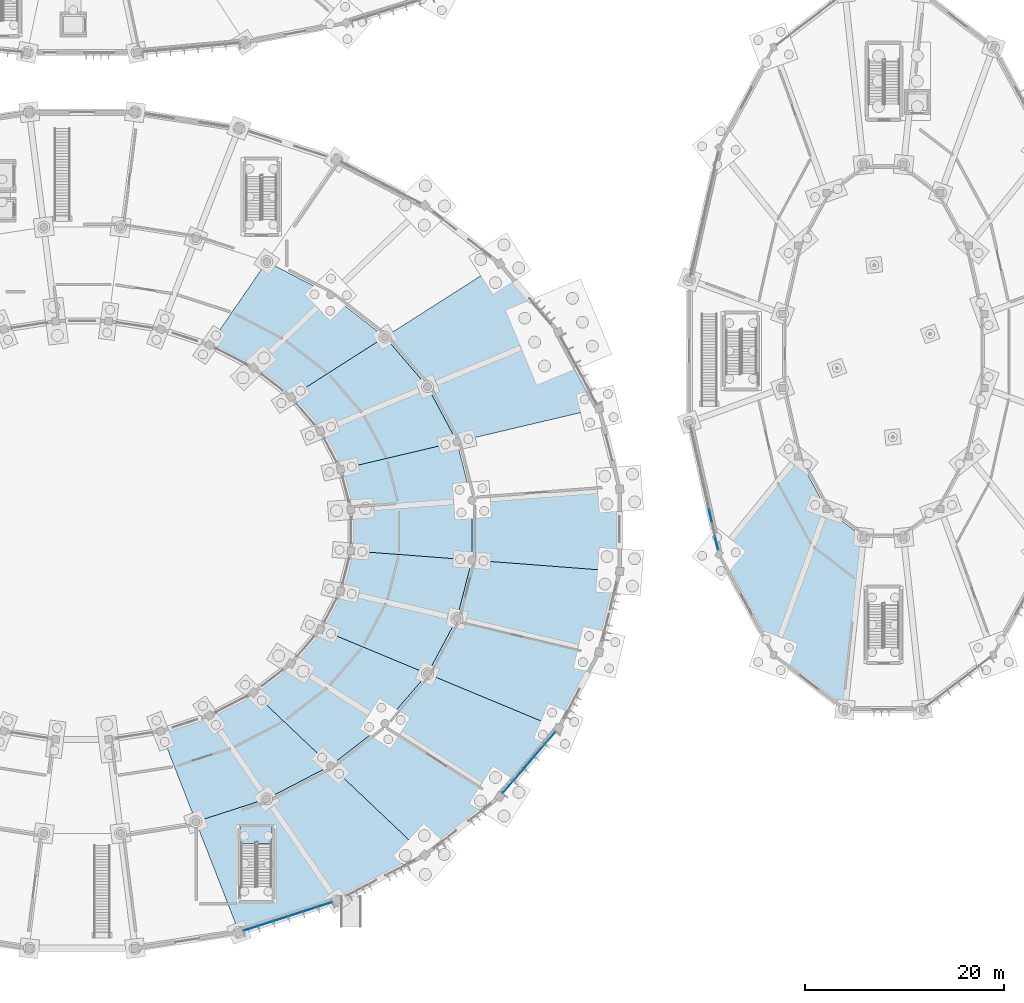
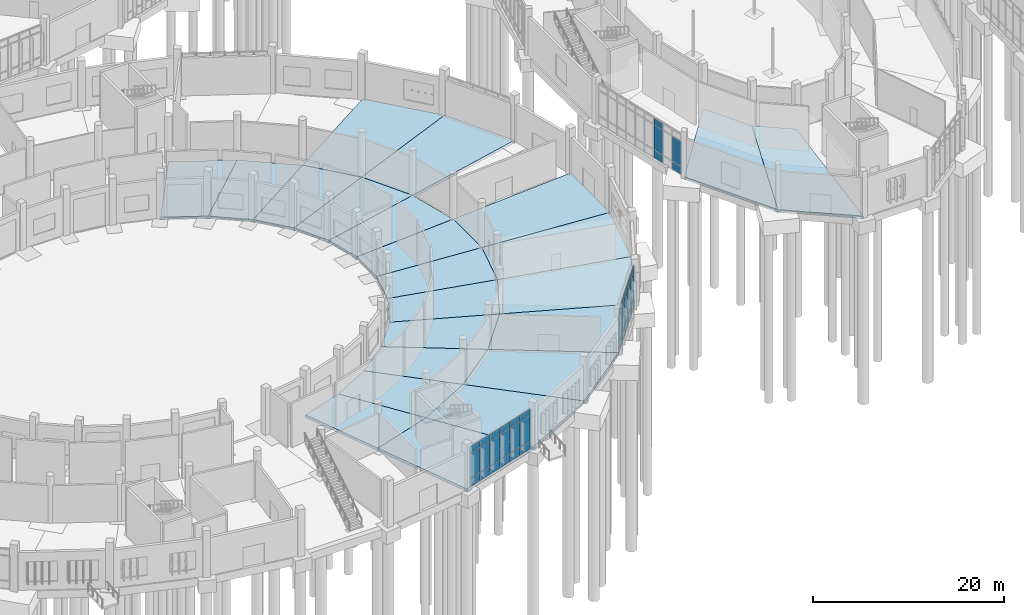
# One storey, part 63 of 140: 38 plates, 24 slabs, 4 elements without a shape of their own.
"""IFC4 building model written with IfcOpenShell, lengths in metres."""

from ifc_helpers import new_model, si_unit, direction, frame, origin, origin_2d, place, context, subcontext, project, spatial, polyline, rectangle, outline, extrude, material, layer, layer_set, type_object, element, aggregate, save


model = new_model("IFC4")

# Units and contexts
model_context = context("Model", 3, precision=1e-05, world=origin(), true_north=direction((0.0, 1.0)))
body_context = subcontext(model_context, "Body", "Model", "MODEL_VIEW")
ifc_project = project(units=[si_unit("LENGTHUNIT", "METRE"), si_unit("AREAUNIT", "SQUARE_METRE"), si_unit("VOLUMEUNIT", "CUBIC_METRE"), si_unit("PLANEANGLEUNIT", "RADIAN"), si_unit("MASSUNIT", "GRAM", prefix="KILO")], contexts=[model_context])

# Site, building, storey
site_placement = place(None, origin())
site = spatial("IfcSite", under=ifc_project, at=site_placement, CompositionType="ELEMENT")
building_placement = place(site_placement, origin())
building = spatial("IfcBuilding", under=site, at=building_placement, Name="Corvandel Quay Wholesale Market", CompositionType="ELEMENT")
storey_placement = place(building_placement, origin())
storey = spatial("IfcBuildingStorey", under=building, at=storey_placement, Name="L00", CompositionType="ELEMENT", Elevation=0.0)

# Curtain wall, plates
ifc_material_1 = material(Name="Bronze anodised aluminium and low-E insulated glazing", Category="aluminium")
ifc_layer_1 = layer(ifc_material_1, 0.162109375)
ifc_layer_set_1 = layer_set([ifc_layer_1], Name="Bronze anodised aluminium and low-E insulated glazing")
curtain_wall_type_1 = type_object("IfcCurtainWallType", Name="Stick Curtain Wall System CW26 H5340", PredefinedType="NOTDEFINED", material=ifc_layer_set_1)
curtain_wall_1_placement = place(storey_placement, origin())
curtain_wall_1 = element("IfcCurtainWall", 1, at=curtain_wall_1_placement, inside=storey, type_object=curtain_wall_type_1, Name="Curtain Wall CW-0075", PredefinedType="NOTDEFINED")
ifc_material_2 = material(Name="Solar-control low-E insulated glazing", Category="glass")
ifc_layer_2 = layer(ifc_material_2, 0.0400390625)
ifc_layer_set_2 = layer_set([ifc_layer_2], Name="Solar-control low-E insulated glazing")
plate_type_1 = type_object("IfcPlateType", Name="Ceramic Fritted Spandrel Panel PN03 40mm", PredefinedType="CURTAIN_PANEL", material=ifc_layer_set_2)
plate_1_placement = place(storey_placement, frame((130.927001953125, 1.992919921875, 4.33251953125), z_axis=(0.0, 0.0, 1.0), x_axis=(0.951808747363, 0.306692204733, 0.0)))
plate_1 = element("IfcPlate", 2, at=plate_1_placement, type_object=plate_type_1, Name="Glazing Panel CW-0075-P00-2", PredefinedType="CURTAIN_PANEL", context=body_context, shape_type="SweptSolid", body=[
    extrude(rectangle(XDim=1.505859375, YDim=0.0400390625, at=origin_2d()), origin(), (0.0, 0.0, 1.0), 0.784912109375),
])
plate_2_placement = place(storey_placement, frame((132.422119140625, 2.474609375, 4.33251953125), z_axis=(0.0, 0.0, 1.0), x_axis=(0.951808747363, 0.306692204733, 0.0)))
plate_2 = element("IfcPlate", 3, at=plate_2_placement, type_object=plate_type_1, Name="Glazing Panel CW-0075-P01-2", PredefinedType="CURTAIN_PANEL", context=body_context, shape_type="SweptSolid", body=[
    extrude(rectangle(XDim=1.505859375, YDim=0.0400390625, at=origin_2d()), origin(), (0.0, 0.0, 1.0), 0.784912109375),
])
plate_3_placement = place(storey_placement, frame((133.91748046875, 2.956298828125, 4.33251953125), z_axis=(0.0, 0.0, 1.0), x_axis=(0.951808747363, 0.306692204733, 0.0)))
plate_3 = element("IfcPlate", 4, at=plate_3_placement, type_object=plate_type_1, Name="Glazing Panel CW-0075-P02-2", PredefinedType="CURTAIN_PANEL", context=body_context, shape_type="SweptSolid", body=[
    extrude(rectangle(XDim=1.505859375, YDim=0.0400390625, at=origin_2d()), origin(), (0.0, 0.0, 1.0), 0.784912109375),
])
plate_4_placement = place(storey_placement, frame((135.41259765625, 3.437744140625, 4.33251953125), z_axis=(0.0, 0.0, 1.0), x_axis=(0.951808747363, 0.306692204733, 0.0)))
plate_4 = element("IfcPlate", 5, at=plate_4_placement, type_object=plate_type_1, Name="Glazing Panel CW-0075-P03-2", PredefinedType="CURTAIN_PANEL", context=body_context, shape_type="SweptSolid", body=[
    extrude(rectangle(XDim=1.505859375, YDim=0.0400390625, at=origin_2d()), origin(), (0.0, 0.0, 1.0), 0.784912109375),
])
plate_5_placement = place(storey_placement, frame((136.90771484375, 3.91943359375, 4.33251953125), z_axis=(0.0, 0.0, 1.0), x_axis=(0.951808747363, 0.306692204733, 0.0)))
plate_5 = element("IfcPlate", 6, at=plate_5_placement, type_object=plate_type_1, Name="Glazing Panel CW-0075-P04-2", PredefinedType="CURTAIN_PANEL", context=body_context, shape_type="SweptSolid", body=[
    extrude(rectangle(XDim=1.505859375, YDim=0.0400390625, at=origin_2d()), origin(), (0.0, 0.0, 1.0), 0.784912109375),
])
plate_6_placement = place(storey_placement, frame((138.403076171875, 4.401123046875, 4.33251953125), z_axis=(0.0, 0.0, 1.0), x_axis=(0.951808747363, 0.306692204733, 0.0)))
plate_6 = element("IfcPlate", 7, at=plate_6_placement, type_object=plate_type_1, Name="Glazing Panel CW-0075-P05-2", PredefinedType="CURTAIN_PANEL", context=body_context, shape_type="SweptSolid", body=[
    extrude(rectangle(XDim=1.505859375, YDim=0.0400390625, at=origin_2d()), origin(), (0.0, 0.0, 1.0), 0.784912109375),
])

ifc_layer_3 = layer(ifc_material_1, 0.162109375)
ifc_layer_set_3 = layer_set([ifc_layer_3], Name="Bronze anodised aluminium and low-E insulated glazing")
curtain_wall_type_2 = type_object("IfcCurtainWallType", Name="Stick Curtain Wall System CW01 H3090", PredefinedType="NOTDEFINED", material=ifc_layer_set_3)
curtain_wall_2_placement = place(storey_placement, origin())
curtain_wall_2 = element("IfcCurtainWall", 8, at=curtain_wall_2_placement, inside=storey, type_object=curtain_wall_type_2, Name="Curtain Wall CW-0084", PredefinedType="NOTDEFINED")
plate_7_placement = place(storey_placement, frame((156.7705078125, 16.18798828125, 4.33251953125), z_axis=(0.0, 0.0, 1.0), x_axis=(0.651568967347, 0.758589401976, 0.0)))
plate_7 = element("IfcPlate", 9, at=plate_7_placement, type_object=plate_type_1, Name="Glazing Panel CW-0084-P00-2", PredefinedType="CURTAIN_PANEL", context=body_context, shape_type="SweptSolid", body=[
    extrude(rectangle(XDim=1.568603515625, YDim=0.0400390625, at=origin_2d()), origin(), (0.0, 0.0, 1.0), 0.784912109375),
])
plate_8_placement = place(storey_placement, frame((157.8349609375, 17.42724609375, 4.33251953125), z_axis=(0.0, 0.0, 1.0), x_axis=(0.651568967347, 0.758589401976, 0.0)))
plate_8 = element("IfcPlate", 10, at=plate_8_placement, type_object=plate_type_1, Name="Glazing Panel CW-0084-P01-2", PredefinedType="CURTAIN_PANEL", context=body_context, shape_type="SweptSolid", body=[
    extrude(rectangle(XDim=1.568603515625, YDim=0.0400390625, at=origin_2d()), origin(), (0.0, 0.0, 1.0), 0.784912109375),
])
plate_9_placement = place(storey_placement, frame((158.8994140625, 18.66650390625, 4.33251953125), z_axis=(0.0, 0.0, 1.0), x_axis=(0.651568967347, 0.758589401976, 0.0)))
plate_9 = element("IfcPlate", 11, at=plate_9_placement, type_object=plate_type_1, Name="Glazing Panel CW-0084-P02-2", PredefinedType="CURTAIN_PANEL", context=body_context, shape_type="SweptSolid", body=[
    extrude(rectangle(XDim=1.568603515625, YDim=0.0400390625, at=origin_2d()), origin(), (0.0, 0.0, 1.0), 0.784912109375),
])
plate_10_placement = place(storey_placement, frame((159.964111328125, 19.90576171875, 4.33251953125), z_axis=(0.0, 0.0, 1.0), x_axis=(0.651568967347, 0.758589401976, 0.0)))
plate_10 = element("IfcPlate", 12, at=plate_10_placement, type_object=plate_type_1, Name="Glazing Panel CW-0084-P03-2", PredefinedType="CURTAIN_PANEL", context=body_context, shape_type="SweptSolid", body=[
    extrude(rectangle(XDim=1.568603515625, YDim=0.0400390625, at=origin_2d()), origin(), (0.0, 0.0, 1.0), 0.784912109375),
])
plate_11_placement = place(storey_placement, frame((161.028564453125, 21.14501953125, 4.33251953125), z_axis=(0.0, 0.0, 1.0), x_axis=(0.651568967347, 0.758589401976, 0.0)))
plate_11 = element("IfcPlate", 13, at=plate_11_placement, type_object=plate_type_1, Name="Glazing Panel CW-0084-P04-2", PredefinedType="CURTAIN_PANEL", context=body_context, shape_type="SweptSolid", body=[
    extrude(rectangle(XDim=1.568603515625, YDim=0.0400390625, at=origin_2d()), origin(), (0.0, 0.0, 1.0), 0.784912109375),
])

# Curtain wall, plate
ifc_layer_4 = layer(ifc_material_1, 0.14990234375)
ifc_layer_set_4 = layer_set([ifc_layer_4], Name="Bronze anodised aluminium and low-E insulated glazing")
curtain_wall_type_3 = type_object("IfcCurtainWallType", Name="Stick Curtain Wall System CW10 H3900", PredefinedType="NOTDEFINED", material=ifc_layer_set_4)
curtain_wall_3_placement = place(storey_placement, origin())
curtain_wall_3 = element("IfcCurtainWall", 14, at=curtain_wall_3_placement, inside=storey, type_object=curtain_wall_type_3, Name="Curtain Wall CW-0136", PredefinedType="NOTDEFINED")
plate_12_placement = place(storey_placement, frame((177.105224609375, 43.456787109375, 4.33251953125), z_axis=(0.0, 0.0, 1.0), x_axis=(-0.218994806262, 0.975726024471, 0.0)))
plate_12 = element("IfcPlate", 15, at=plate_12_placement, type_object=plate_type_1, Name="Glazing Panel CW-0136-P06-2", PredefinedType="CURTAIN_PANEL", context=body_context, shape_type="SweptSolid", body=[
    extrude(rectangle(XDim=1.352783203125, YDim=0.0400390625, at=origin_2d()), origin(), (0.0, 0.0, 1.0), 0.784912109375),
])

# Plate
ifc_layer_5 = layer(ifc_material_2, 0.028076171875)
ifc_layer_set_5 = layer_set([ifc_layer_5], Name="Solar-control low-E insulated glazing")
plate_type_2 = type_object("IfcPlateType", Name="Double Low-E Vision Panel PN01 28mm", PredefinedType="CURTAIN_PANEL", material=ifc_layer_set_5)
plate_13_placement = place(storey_placement, frame((130.927001953125, 1.992919921875, 0.0322265625), z_axis=(0.0, 0.0, 1.0), x_axis=(0.951808747363, 0.306692204733, 0.0)))
plate_13 = element("IfcPlate", 16, at=plate_13_placement, type_object=plate_type_2, Name="Glazing Panel CW-0075-P00-0", PredefinedType="CURTAIN_PANEL", context=body_context, shape_type="SweptSolid", body=[
    extrude(rectangle(XDim=1.505859375, YDim=0.028076171875, at=origin_2d()), origin(), (0.0, 0.0, 1.0), 0.985107421875),
])

plate_14_placement = place(storey_placement, frame((130.927001953125, 1.992919921875, 1.08251953125), z_axis=(0.0, 0.0, 1.0), x_axis=(0.951808747363, 0.306692204733, 0.0)))
plate_14 = element("IfcPlate", 17, at=plate_14_placement, type_object=plate_type_2, Name="Glazing Panel CW-0075-P00-1", PredefinedType="CURTAIN_PANEL", context=body_context, shape_type="SweptSolid", body=[
    extrude(rectangle(XDim=1.505859375, YDim=0.028076171875, at=origin_2d()), origin(), (0.0, 0.0, 1.0), 3.18505859375),
])

plate_15_placement = place(storey_placement, frame((132.422119140625, 2.474609375, 0.0322265625), z_axis=(0.0, 0.0, 1.0), x_axis=(0.951808747363, 0.306692204733, 0.0)))
plate_15 = element("IfcPlate", 18, at=plate_15_placement, type_object=plate_type_2, Name="Glazing Panel CW-0075-P01-0", PredefinedType="CURTAIN_PANEL", context=body_context, shape_type="SweptSolid", body=[
    extrude(rectangle(XDim=1.505859375, YDim=0.028076171875, at=origin_2d()), origin(), (0.0, 0.0, 1.0), 0.985107421875),
])

plate_16_placement = place(storey_placement, frame((132.422119140625, 2.474609375, 1.08251953125), z_axis=(0.0, 0.0, 1.0), x_axis=(0.951808747363, 0.306692204733, 0.0)))
plate_16 = element("IfcPlate", 19, at=plate_16_placement, type_object=plate_type_2, Name="Glazing Panel CW-0075-P01-1", PredefinedType="CURTAIN_PANEL", context=body_context, shape_type="SweptSolid", body=[
    extrude(rectangle(XDim=1.505859375, YDim=0.028076171875, at=origin_2d()), origin(), (0.0, 0.0, 1.0), 3.18505859375),
])

plate_17_placement = place(storey_placement, frame((133.91748046875, 2.956298828125, 0.0322265625), z_axis=(0.0, 0.0, 1.0), x_axis=(0.951808747363, 0.306692204733, 0.0)))
plate_17 = element("IfcPlate", 20, at=plate_17_placement, type_object=plate_type_2, Name="Glazing Panel CW-0075-P02-0", PredefinedType="CURTAIN_PANEL", context=body_context, shape_type="SweptSolid", body=[
    extrude(rectangle(XDim=1.505859375, YDim=0.028076171875, at=origin_2d()), origin(), (0.0, 0.0, 1.0), 0.985107421875),
])

plate_18_placement = place(storey_placement, frame((133.91748046875, 2.956298828125, 1.08251953125), z_axis=(0.0, 0.0, 1.0), x_axis=(0.951808747363, 0.306692204733, 0.0)))
plate_18 = element("IfcPlate", 21, at=plate_18_placement, type_object=plate_type_2, Name="Glazing Panel CW-0075-P02-1", PredefinedType="CURTAIN_PANEL", context=body_context, shape_type="SweptSolid", body=[
    extrude(rectangle(XDim=1.505859375, YDim=0.028076171875, at=origin_2d()), origin(), (0.0, 0.0, 1.0), 3.18505859375),
])

plate_19_placement = place(storey_placement, frame((135.41259765625, 3.437744140625, 0.0322265625), z_axis=(0.0, 0.0, 1.0), x_axis=(0.951808747363, 0.306692204733, 0.0)))
plate_19 = element("IfcPlate", 22, at=plate_19_placement, type_object=plate_type_2, Name="Glazing Panel CW-0075-P03-0", PredefinedType="CURTAIN_PANEL", context=body_context, shape_type="SweptSolid", body=[
    extrude(rectangle(XDim=1.505859375, YDim=0.028076171875, at=origin_2d()), origin(), (0.0, 0.0, 1.0), 0.985107421875),
])

plate_20_placement = place(storey_placement, frame((135.41259765625, 3.437744140625, 1.08251953125), z_axis=(0.0, 0.0, 1.0), x_axis=(0.951808747363, 0.306692204733, 0.0)))
plate_20 = element("IfcPlate", 23, at=plate_20_placement, type_object=plate_type_2, Name="Glazing Panel CW-0075-P03-1", PredefinedType="CURTAIN_PANEL", context=body_context, shape_type="SweptSolid", body=[
    extrude(rectangle(XDim=1.505859375, YDim=0.028076171875, at=origin_2d()), origin(), (0.0, 0.0, 1.0), 3.18505859375),
])

plate_21_placement = place(storey_placement, frame((136.90771484375, 3.91943359375, 0.0322265625), z_axis=(0.0, 0.0, 1.0), x_axis=(0.951808747363, 0.306692204733, 0.0)))
plate_21 = element("IfcPlate", 24, at=plate_21_placement, type_object=plate_type_2, Name="Glazing Panel CW-0075-P04-0", PredefinedType="CURTAIN_PANEL", context=body_context, shape_type="SweptSolid", body=[
    extrude(rectangle(XDim=1.505859375, YDim=0.028076171875, at=origin_2d()), origin(), (0.0, 0.0, 1.0), 0.985107421875),
])

plate_22_placement = place(storey_placement, frame((136.90771484375, 3.91943359375, 1.08251953125), z_axis=(0.0, 0.0, 1.0), x_axis=(0.951808747363, 0.306692204733, 0.0)))
plate_22 = element("IfcPlate", 25, at=plate_22_placement, type_object=plate_type_2, Name="Glazing Panel CW-0075-P04-1", PredefinedType="CURTAIN_PANEL", context=body_context, shape_type="SweptSolid", body=[
    extrude(rectangle(XDim=1.505859375, YDim=0.028076171875, at=origin_2d()), origin(), (0.0, 0.0, 1.0), 3.18505859375),
])

plate_23_placement = place(storey_placement, frame((138.403076171875, 4.401123046875, 0.0322265625), z_axis=(0.0, 0.0, 1.0), x_axis=(0.951808747363, 0.306692204733, 0.0)))
plate_23 = element("IfcPlate", 26, at=plate_23_placement, type_object=plate_type_2, Name="Glazing Panel CW-0075-P05-0", PredefinedType="CURTAIN_PANEL", context=body_context, shape_type="SweptSolid", body=[
    extrude(rectangle(XDim=1.505859375, YDim=0.028076171875, at=origin_2d()), origin(), (0.0, 0.0, 1.0), 0.985107421875),
])

plate_24_placement = place(storey_placement, frame((138.403076171875, 4.401123046875, 1.08251953125), z_axis=(0.0, 0.0, 1.0), x_axis=(0.951808747363, 0.306692204733, 0.0)))
plate_24 = element("IfcPlate", 27, at=plate_24_placement, type_object=plate_type_2, Name="Glazing Panel CW-0075-P05-1", PredefinedType="CURTAIN_PANEL", context=body_context, shape_type="SweptSolid", body=[
    extrude(rectangle(XDim=1.505859375, YDim=0.028076171875, at=origin_2d()), origin(), (0.0, 0.0, 1.0), 3.18505859375),
])

aggregate(curtain_wall_1, [plate_13, plate_14, plate_1, plate_15, plate_16, plate_2, plate_17, plate_18, plate_3, plate_19, plate_20, plate_4, plate_21, plate_22, plate_5, plate_23, plate_24, plate_6])

plate_25_placement = place(storey_placement, frame((156.7705078125, 16.18798828125, 0.0322265625), z_axis=(0.0, 0.0, 1.0), x_axis=(0.651568967347, 0.758589401976, 0.0)))
plate_25 = element("IfcPlate", 28, at=plate_25_placement, type_object=plate_type_2, Name="Glazing Panel CW-0084-P00-0", PredefinedType="CURTAIN_PANEL", context=body_context, shape_type="SweptSolid", body=[
    extrude(rectangle(XDim=1.568603515625, YDim=0.028076171875, at=origin_2d()), origin(), (0.0, 0.0, 1.0), 0.985107421875),
])

plate_26_placement = place(storey_placement, frame((156.7705078125, 16.18798828125, 1.08251953125), z_axis=(0.0, 0.0, 1.0), x_axis=(0.651568967347, 0.758589401976, 0.0)))
plate_26 = element("IfcPlate", 29, at=plate_26_placement, type_object=plate_type_2, Name="Glazing Panel CW-0084-P00-1", PredefinedType="CURTAIN_PANEL", context=body_context, shape_type="SweptSolid", body=[
    extrude(rectangle(XDim=1.568603515625, YDim=0.028076171875, at=origin_2d()), origin(), (0.0, 0.0, 1.0), 3.18505859375),
])

plate_27_placement = place(storey_placement, frame((157.8349609375, 17.42724609375, 0.0322265625), z_axis=(0.0, 0.0, 1.0), x_axis=(0.651568967347, 0.758589401976, 0.0)))
plate_27 = element("IfcPlate", 30, at=plate_27_placement, type_object=plate_type_2, Name="Glazing Panel CW-0084-P01-0", PredefinedType="CURTAIN_PANEL", context=body_context, shape_type="SweptSolid", body=[
    extrude(rectangle(XDim=1.568603515625, YDim=0.028076171875, at=origin_2d()), origin(), (0.0, 0.0, 1.0), 0.985107421875),
])

plate_28_placement = place(storey_placement, frame((157.8349609375, 17.42724609375, 1.08251953125), z_axis=(0.0, 0.0, 1.0), x_axis=(0.651568967347, 0.758589401976, 0.0)))
plate_28 = element("IfcPlate", 31, at=plate_28_placement, type_object=plate_type_2, Name="Glazing Panel CW-0084-P01-1", PredefinedType="CURTAIN_PANEL", context=body_context, shape_type="SweptSolid", body=[
    extrude(rectangle(XDim=1.568603515625, YDim=0.028076171875, at=origin_2d()), origin(), (0.0, 0.0, 1.0), 3.18505859375),
])

plate_29_placement = place(storey_placement, frame((158.8994140625, 18.66650390625, 0.0322265625), z_axis=(0.0, 0.0, 1.0), x_axis=(0.651568967347, 0.758589401976, 0.0)))
plate_29 = element("IfcPlate", 32, at=plate_29_placement, type_object=plate_type_2, Name="Glazing Panel CW-0084-P02-0", PredefinedType="CURTAIN_PANEL", context=body_context, shape_type="SweptSolid", body=[
    extrude(rectangle(XDim=1.568603515625, YDim=0.028076171875, at=origin_2d()), origin(), (0.0, 0.0, 1.0), 0.985107421875),
])

plate_30_placement = place(storey_placement, frame((158.8994140625, 18.66650390625, 1.08251953125), z_axis=(0.0, 0.0, 1.0), x_axis=(0.651568967347, 0.758589401976, 0.0)))
plate_30 = element("IfcPlate", 33, at=plate_30_placement, type_object=plate_type_2, Name="Glazing Panel CW-0084-P02-1", PredefinedType="CURTAIN_PANEL", context=body_context, shape_type="SweptSolid", body=[
    extrude(rectangle(XDim=1.568603515625, YDim=0.028076171875, at=origin_2d()), origin(), (0.0, 0.0, 1.0), 3.18505859375),
])

plate_31_placement = place(storey_placement, frame((159.964111328125, 19.90576171875, 0.0322265625), z_axis=(0.0, 0.0, 1.0), x_axis=(0.651568967347, 0.758589401976, 0.0)))
plate_31 = element("IfcPlate", 34, at=plate_31_placement, type_object=plate_type_2, Name="Glazing Panel CW-0084-P03-0", PredefinedType="CURTAIN_PANEL", context=body_context, shape_type="SweptSolid", body=[
    extrude(rectangle(XDim=1.568603515625, YDim=0.028076171875, at=origin_2d()), origin(), (0.0, 0.0, 1.0), 0.985107421875),
])

plate_32_placement = place(storey_placement, frame((159.964111328125, 19.90576171875, 1.08251953125), z_axis=(0.0, 0.0, 1.0), x_axis=(0.651568967347, 0.758589401976, 0.0)))
plate_32 = element("IfcPlate", 35, at=plate_32_placement, type_object=plate_type_2, Name="Glazing Panel CW-0084-P03-1", PredefinedType="CURTAIN_PANEL", context=body_context, shape_type="SweptSolid", body=[
    extrude(rectangle(XDim=1.568603515625, YDim=0.028076171875, at=origin_2d()), origin(), (0.0, 0.0, 1.0), 3.18505859375),
])

plate_33_placement = place(storey_placement, frame((161.028564453125, 21.14501953125, 0.0322265625), z_axis=(0.0, 0.0, 1.0), x_axis=(0.651568967347, 0.758589401976, 0.0)))
plate_33 = element("IfcPlate", 36, at=plate_33_placement, type_object=plate_type_2, Name="Glazing Panel CW-0084-P04-0", PredefinedType="CURTAIN_PANEL", context=body_context, shape_type="SweptSolid", body=[
    extrude(rectangle(XDim=1.568603515625, YDim=0.028076171875, at=origin_2d()), origin(), (0.0, 0.0, 1.0), 0.985107421875),
])

plate_34_placement = place(storey_placement, frame((161.028564453125, 21.14501953125, 1.08251953125), z_axis=(0.0, 0.0, 1.0), x_axis=(0.651568967347, 0.758589401976, 0.0)))
plate_34 = element("IfcPlate", 37, at=plate_34_placement, type_object=plate_type_2, Name="Glazing Panel CW-0084-P04-1", PredefinedType="CURTAIN_PANEL", context=body_context, shape_type="SweptSolid", body=[
    extrude(rectangle(XDim=1.568603515625, YDim=0.028076171875, at=origin_2d()), origin(), (0.0, 0.0, 1.0), 3.18505859375),
])

aggregate(curtain_wall_2, [plate_25, plate_26, plate_7, plate_27, plate_28, plate_8, plate_29, plate_30, plate_9, plate_31, plate_32, plate_10, plate_33, plate_34, plate_11])

plate_35_placement = place(storey_placement, frame((177.105224609375, 43.456787109375, 0.0322265625), z_axis=(0.0, 0.0, 1.0), x_axis=(-0.218994806262, 0.975726024471, 0.0)))
plate_35 = element("IfcPlate", 38, at=plate_35_placement, type_object=plate_type_2, Name="Glazing Panel CW-0136-P06-0", PredefinedType="CURTAIN_PANEL", context=body_context, shape_type="SweptSolid", body=[
    extrude(rectangle(XDim=1.352783203125, YDim=0.028076171875, at=origin_2d()), origin(), (0.0, 0.0, 1.0), 0.985107421875),
])

plate_36_placement = place(storey_placement, frame((177.105224609375, 43.456787109375, 1.08251953125), z_axis=(0.0, 0.0, 1.0), x_axis=(-0.218994806262, 0.975726024471, 0.0)))
plate_36 = element("IfcPlate", 39, at=plate_36_placement, type_object=plate_type_2, Name="Glazing Panel CW-0136-P06-1", PredefinedType="CURTAIN_PANEL", context=body_context, shape_type="SweptSolid", body=[
    extrude(rectangle(XDim=1.352783203125, YDim=0.028076171875, at=origin_2d()), origin(), (0.0, 0.0, 1.0), 3.18505859375),
])

plate_37_placement = place(storey_placement, frame((177.726318359375, 40.68994140625, 0.0322265625), z_axis=(0.0, 0.0, 1.0), x_axis=(-0.218994806262, 0.975726024471, 0.0)))
plate_37 = element("IfcPlate", 40, at=plate_37_placement, type_object=plate_type_2, Name="Glazing Panel CW-0136-P08-0", PredefinedType="CURTAIN_PANEL", context=body_context, shape_type="SweptSolid", body=[
    extrude(rectangle(XDim=1.352783203125, YDim=0.028076171875, at=origin_2d()), origin(), (0.0, 0.0, 1.0), 0.985107421875),
])

plate_38_placement = place(storey_placement, frame((177.726318359375, 40.68994140625, 1.08251953125), z_axis=(0.0, 0.0, 1.0), x_axis=(-0.218994806262, 0.975726024471, 0.0)))
plate_38 = element("IfcPlate", 41, at=plate_38_placement, type_object=plate_type_2, Name="Glazing Panel CW-0136-P08-1", PredefinedType="CURTAIN_PANEL", context=body_context, shape_type="SweptSolid", body=[
    extrude(rectangle(XDim=1.352783203125, YDim=0.028076171875, at=origin_2d()), origin(), (0.0, 0.0, 1.0), 3.18505859375),
])

aggregate(curtain_wall_3, [plate_35, plate_36, plate_12, plate_37, plate_38])

# Slabs
ifc_material_3 = material(Name="Concrete C40/50", Category="concrete")
ifc_layer_6 = layer(ifc_material_3, 0.35009765625)
ifc_layer_set_6 = layer_set([ifc_layer_6], Name="Concrete C40/50")
slab_type_1 = type_object("IfcSlabType", Name="Ground Bearing Base Slab 350", PredefinedType="BASESLAB", material=ifc_layer_set_6)
slab_1_placement = place(storey_placement, frame((0.0, 0.0, -0.35009765625)))
element("IfcSlab", 42, at=slab_1_placement, inside=storey, type_object=slab_type_1, Name="Slab SLB-0002", PredefinedType="BASESLAB", context=body_context, shape_type="SweptSolid", body=[
    extrude(outline(polyline([(153.14990234375, 44.9990234375), (151.64501953125, 50.882080078125), (139.9619140625, 48.125), (141.0, 44.068115234375), (153.14990234375, 44.9990234375)])), origin(), (0.0, 0.0, 1.0), 0.35009765625),
])
slab_2_placement = place(storey_placement, frame((0.0, 0.0, -0.35009765625)))
element("IfcSlab", 43, at=slab_2_placement, inside=storey, type_object=slab_type_1, Name="Slab SLB-0007", PredefinedType="BASESLAB", context=body_context, shape_type="SweptSolid", body=[
    extrude(outline(polyline([(165.925048828125, 54.2509765625), (161.85400390625, 61.89404296875), (148.694091796875, 56.423095703125), (151.64501953125, 50.882080078125), (165.925048828125, 54.2509765625)])), origin(), (0.0, 0.0, 1.0), 0.35009765625),
])
slab_3_placement = place(storey_placement, frame((0.0, 0.0, -0.35009765625)))
element("IfcSlab", 44, at=slab_3_placement, inside=storey, type_object=slab_type_1, Name="Slab SLB-0008", PredefinedType="BASESLAB", context=body_context, shape_type="SweptSolid", body=[
    extrude(outline(polyline([(151.64501953125, 50.882080078125), (148.694091796875, 56.423095703125), (137.927001953125, 51.947021484375), (139.9619140625, 48.125), (151.64501953125, 50.882080078125)])), origin(), (0.0, 0.0, 1.0), 0.35009765625),
])
slab_4_placement = place(storey_placement, frame((0.0, 0.0, -0.35009765625)))
element("IfcSlab", 45, at=slab_4_placement, inside=storey, type_object=slab_type_1, Name="Slab SLB-0012", PredefinedType="BASESLAB", context=body_context, shape_type="SweptSolid", body=[
    extrude(outline(polyline([(161.85400390625, 61.89404296875), (155.945068359375, 68.77294921875), (144.409912109375, 61.410888671875), (148.694091796875, 56.423095703125), (161.85400390625, 61.89404296875)])), origin(), (0.0, 0.0, 1.0), 0.35009765625),
])
slab_5_placement = place(storey_placement, frame((0.0, 0.0, -0.35009765625)))
element("IfcSlab", 46, at=slab_5_placement, inside=storey, type_object=slab_type_1, Name="Slab SLB-0013", PredefinedType="BASESLAB", context=body_context, shape_type="SweptSolid", body=[
    extrude(outline(polyline([(148.694091796875, 56.423095703125), (144.409912109375, 61.410888671875), (134.971923828125, 55.386962890625), (137.927001953125, 51.947021484375), (148.694091796875, 56.423095703125)])), origin(), (0.0, 0.0, 1.0), 0.35009765625),
])
slab_6_placement = place(storey_placement, frame((0.0, 0.0, -0.35009765625)))
element("IfcSlab", 47, at=slab_6_placement, inside=storey, type_object=slab_type_1, Name="Slab SLB-0018", PredefinedType="BASESLAB", context=body_context, shape_type="SweptSolid", body=[
    extrude(outline(polyline([(144.409912109375, 61.410888671875), (138.95703125, 65.652099609375), (131.2109375, 58.31201171875), (134.971923828125, 55.386962890625), (144.409912109375, 61.410888671875)])), origin(), (0.0, 0.0, 1.0), 0.35009765625),
])
slab_7_placement = place(storey_placement, frame((0.0, 0.0, -0.35009765625)))
element("IfcSlab", 48, at=slab_7_placement, inside=storey, type_object=slab_type_1, Name="Slab SLB-0023", PredefinedType="BASESLAB", context=body_context, shape_type="SweptSolid", body=[
    extrude(outline(polyline([(138.95703125, 65.652099609375), (132.5439453125, 68.98388671875), (126.7890625, 60.610107421875), (131.2109375, 58.31201171875), (138.95703125, 65.652099609375)])), origin(), (0.0, 0.0, 1.0), 0.35009765625),
])
slab_8_placement = place(storey_placement, frame((0.0, 0.0, -0.35009765625)))
element("IfcSlab", 49, at=slab_8_placement, inside=storey, type_object=slab_type_1, Name="Slab SLB-0118", PredefinedType="BASESLAB", context=body_context, shape_type="SweptSolid", body=[
    extrude(outline(polyline([(129.7509765625, 1.614013671875), (139.5791015625, 4.780029296875), (132.5439453125, 15.01611328125), (125.419921875, 12.719970703125), (129.7509765625, 1.614013671875)])), origin(), (0.0, 0.0, 1.0), 0.35009765625),
])
slab_9_placement = place(storey_placement, frame((0.0, 0.0, -0.35009765625)))
element("IfcSlab", 50, at=slab_9_placement, inside=storey, type_object=slab_type_1, Name="Slab SLB-0119", PredefinedType="BASESLAB", context=body_context, shape_type="SweptSolid", body=[
    extrude(outline(polyline([(125.419921875, 12.719970703125), (132.5439453125, 15.01611328125), (126.7890625, 23.389892578125), (121.8759765625, 21.806884765625), (125.419921875, 12.719970703125)])), origin(), (0.0, 0.0, 1.0), 0.35009765625),
])
slab_10_placement = place(storey_placement, frame((0.0, 0.0, -0.35009765625)))
element("IfcSlab", 51, at=slab_10_placement, inside=storey, type_object=slab_type_1, Name="Slab SLB-0122", PredefinedType="BASESLAB", context=body_context, shape_type="SweptSolid", body=[
    extrude(outline(polyline([(139.5791015625, 4.780029296875), (148.423095703125, 9.3759765625), (138.95703125, 18.347900390625), (132.5439453125, 15.01611328125), (139.5791015625, 4.780029296875)])), origin(), (0.0, 0.0, 1.0), 0.35009765625),
])
slab_11_placement = place(storey_placement, frame((0.0, 0.0, -0.35009765625)))
element("IfcSlab", 52, at=slab_11_placement, inside=storey, type_object=slab_type_1, Name="Slab SLB-0123", PredefinedType="BASESLAB", context=body_context, shape_type="SweptSolid", body=[
    extrude(outline(polyline([(132.5439453125, 15.01611328125), (138.95703125, 18.347900390625), (131.2109375, 25.68798828125), (126.7890625, 23.389892578125), (132.5439453125, 15.01611328125)])), origin(), (0.0, 0.0, 1.0), 0.35009765625),
])
slab_12_placement = place(storey_placement, frame((0.0, 0.0, -0.35009765625)))
element("IfcSlab", 53, at=slab_12_placement, inside=storey, type_object=slab_type_1, Name="Slab SLB-0126", PredefinedType="BASESLAB", context=body_context, shape_type="SweptSolid", body=[
    extrude(outline(polyline([(148.423095703125, 9.3759765625), (155.945068359375, 15.22705078125), (144.409912109375, 22.589111328125), (138.95703125, 18.347900390625), (148.423095703125, 9.3759765625)])), origin(), (0.0, 0.0, 1.0), 0.35009765625),
])
slab_13_placement = place(storey_placement, frame((0.0, 0.0, -0.35009765625)))
element("IfcSlab", 54, at=slab_13_placement, inside=storey, type_object=slab_type_1, Name="Slab SLB-0127", PredefinedType="BASESLAB", context=body_context, shape_type="SweptSolid", body=[
    extrude(outline(polyline([(138.95703125, 18.347900390625), (144.409912109375, 22.589111328125), (134.971923828125, 28.613037109375), (131.2109375, 25.68798828125), (138.95703125, 18.347900390625)])), origin(), (0.0, 0.0, 1.0), 0.35009765625),
])
slab_14_placement = place(storey_placement, frame((0.0, 0.0, -0.35009765625)))
element("IfcSlab", 55, at=slab_14_placement, inside=storey, type_object=slab_type_1, Name="Slab SLB-0130", PredefinedType="BASESLAB", context=body_context, shape_type="SweptSolid", body=[
    extrude(outline(polyline([(155.945068359375, 15.22705078125), (161.85400390625, 22.10595703125), (148.694091796875, 27.576904296875), (144.409912109375, 22.589111328125), (155.945068359375, 15.22705078125)])), origin(), (0.0, 0.0, 1.0), 0.35009765625),
])
slab_15_placement = place(storey_placement, frame((0.0, 0.0, -0.35009765625)))
element("IfcSlab", 56, at=slab_15_placement, inside=storey, type_object=slab_type_1, Name="Slab SLB-0131", PredefinedType="BASESLAB", context=body_context, shape_type="SweptSolid", body=[
    extrude(outline(polyline([(144.409912109375, 22.589111328125), (148.694091796875, 27.576904296875), (137.927001953125, 32.052978515625), (134.971923828125, 28.613037109375), (144.409912109375, 22.589111328125)])), origin(), (0.0, 0.0, 1.0), 0.35009765625),
])
slab_16_placement = place(storey_placement, frame((0.0, 0.0, -0.35009765625)))
element("IfcSlab", 57, at=slab_16_placement, inside=storey, type_object=slab_type_1, Name="Slab SLB-0133", PredefinedType="BASESLAB", context=body_context, shape_type="SweptSolid", body=[
    extrude(outline(polyline([(161.85400390625, 22.10595703125), (165.925048828125, 29.7490234375), (151.64501953125, 33.117919921875), (148.694091796875, 27.576904296875), (161.85400390625, 22.10595703125)])), origin(), (0.0, 0.0, 1.0), 0.35009765625),
])
slab_17_placement = place(storey_placement, frame((0.0, 0.0, -0.35009765625)))
element("IfcSlab", 58, at=slab_17_placement, inside=storey, type_object=slab_type_1, Name="Slab SLB-0134", PredefinedType="BASESLAB", context=body_context, shape_type="SweptSolid", body=[
    extrude(outline(polyline([(148.694091796875, 27.576904296875), (151.64501953125, 33.117919921875), (139.9619140625, 35.875), (137.927001953125, 32.052978515625), (148.694091796875, 27.576904296875)])), origin(), (0.0, 0.0, 1.0), 0.35009765625),
])
slab_18_placement = place(storey_placement, frame((0.0, 0.0, -0.35009765625)))
element("IfcSlab", 59, at=slab_18_placement, inside=storey, type_object=slab_type_1, Name="Slab SLB-0136", PredefinedType="BASESLAB", context=body_context, shape_type="SweptSolid", body=[
    extrude(outline(polyline([(165.925048828125, 29.7490234375), (168.0, 37.863037109375), (153.14990234375, 39.0009765625), (151.64501953125, 33.117919921875), (165.925048828125, 29.7490234375)])), origin(), (0.0, 0.0, 1.0), 0.35009765625),
])
slab_19_placement = place(storey_placement, frame((0.0, 0.0, -0.35009765625)))
element("IfcSlab", 60, at=slab_19_placement, inside=storey, type_object=slab_type_1, Name="Slab SLB-0137", PredefinedType="BASESLAB", context=body_context, shape_type="SweptSolid", body=[
    extrude(outline(polyline([(151.64501953125, 33.117919921875), (153.14990234375, 39.0009765625), (141.0, 39.931884765625), (139.9619140625, 35.875), (151.64501953125, 33.117919921875)])), origin(), (0.0, 0.0, 1.0), 0.35009765625),
])
slab_20_placement = place(storey_placement, frame((0.0, 0.0, -0.35009765625)))
element("IfcSlab", 61, at=slab_20_placement, inside=storey, type_object=slab_type_1, Name="Slab SLB-0139", PredefinedType="BASESLAB", context=body_context, shape_type="SweptSolid", body=[
    extrude(outline(polyline([(168.0, 37.863037109375), (168.0, 46.136962890625), (153.14990234375, 44.9990234375), (153.14990234375, 39.0009765625), (168.0, 37.863037109375)])), origin(), (0.0, 0.0, 1.0), 0.35009765625),
])
slab_21_placement = place(storey_placement, frame((0.0, 0.0, -0.35009765625)))
element("IfcSlab", 62, at=slab_21_placement, inside=storey, type_object=slab_type_1, Name="Slab SLB-0140", PredefinedType="BASESLAB", context=body_context, shape_type="SweptSolid", body=[
    extrude(outline(polyline([(153.14990234375, 39.0009765625), (153.14990234375, 44.9990234375), (141.0, 44.068115234375), (141.0, 39.931884765625), (153.14990234375, 39.0009765625)])), origin(), (0.0, 0.0, 1.0), 0.35009765625),
])
slab_22_placement = place(storey_placement, frame((0.0, 0.0, -0.35009765625)))
element("IfcSlab", 63, at=slab_22_placement, inside=storey, type_object=slab_type_1, Name="Slab SLB-0419", PredefinedType="BASESLAB", context=body_context, shape_type="SweptSolid", body=[
    extrude(outline(polyline([(177.968994140625, 39.60791015625), (183.4541015625, 29.48095703125), (188.756103515625, 44.1298828125), (185.904052734375, 49.39599609375), (177.968994140625, 39.60791015625)])), origin(), (0.0, 0.0, 1.0), 0.35009765625),
])
slab_23_placement = place(storey_placement, frame((0.0, 0.0, -0.35009765625)))
element("IfcSlab", 64, at=slab_23_placement, inside=storey, type_object=slab_type_1, Name="Slab SLB-0423", PredefinedType="BASESLAB", context=body_context, shape_type="SweptSolid", body=[
    extrude(outline(polyline([(183.4541015625, 29.48095703125), (190.62109375, 24.0), (192.48291015625, 41.280029296875), (188.756103515625, 44.1298828125), (183.4541015625, 29.48095703125)])), origin(), (0.0, 0.0, 1.0), 0.35009765625),
])

# Stair, slab
stair_type = type_object("IfcStairType", Name="Exit Stair Two-Return L00-L01 ST01", PredefinedType="USERDEFINED", material=ifc_material_3)
stair_placement = place(storey_placement, origin())
stair = element("IfcStair", 65, at=stair_placement, inside=storey, type_object=stair_type, Name="Exit Stair STR-007", ObjectType="TWO_RETURN_STAIR", PredefinedType="USERDEFINED")
ifc_layer_7 = layer(ifc_material_3, 0.219970703125)
ifc_layer_set_7 = layer_set([ifc_layer_7], Name="Concrete C40/50")
slab_type_2 = type_object("IfcSlabType", Name="Precast Stair Landing LND01 220", PredefinedType="LANDING", material=ifc_layer_set_7)
slab_24_placement = place(storey_placement, frame((0.0, 0.0, 2.780029296875)))
slab_24 = element("IfcSlab", 66, at=slab_24_placement, type_object=slab_type_2, Name="Stair Landing STR-007-LND", PredefinedType="LANDING", context=body_context, shape_type="SweptSolid", body=[
    extrude(outline(polyline([(129.909912109375, 10.530029296875), (133.090087890625, 10.530029296875), (133.090087890625, 12.239990234375), (129.909912109375, 12.239990234375), (129.909912109375, 10.530029296875)])), origin(), (0.0, 0.0, 1.0), 0.219970703125),
])
aggregate(stair, [slab_24])

save(model, "model.ifc")
